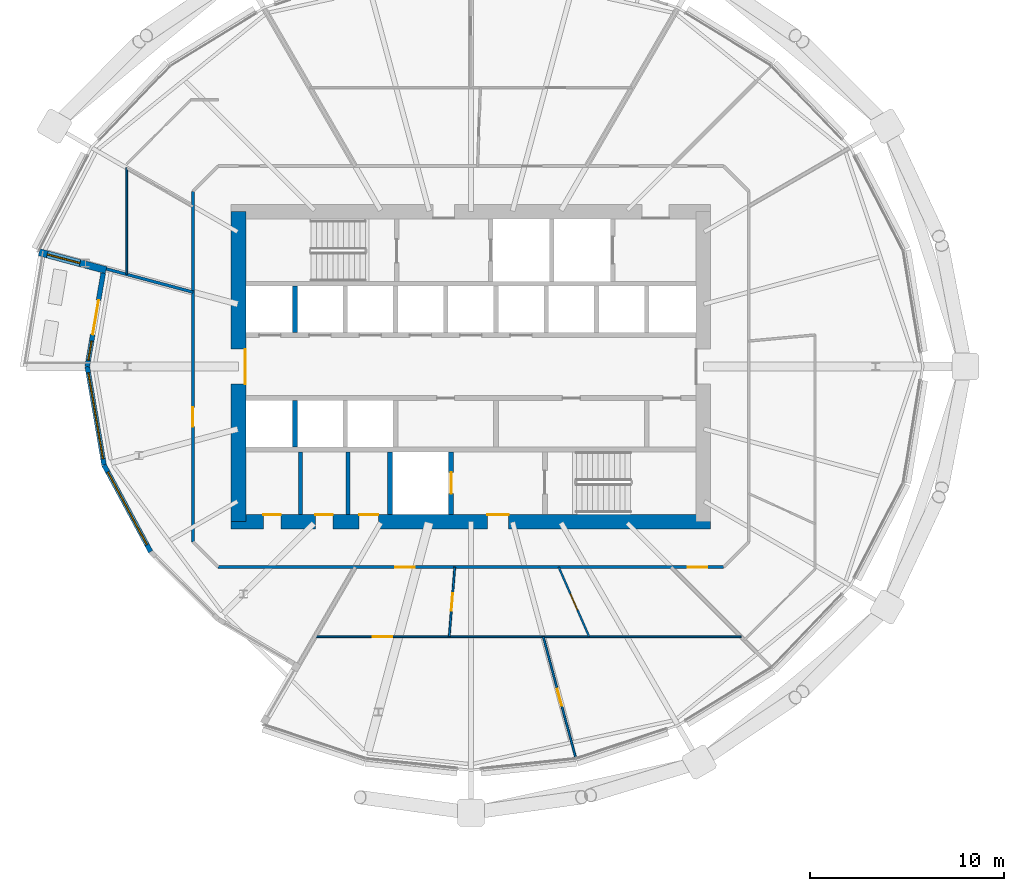
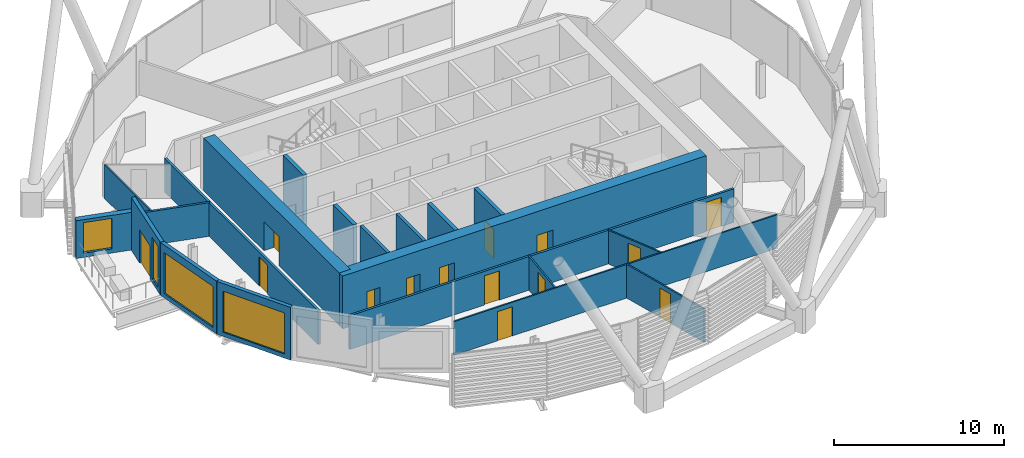
# One storey, part 24 of 38: 21 walls, 14 doors, 4 windows, 18 openings.
"""IFC4 building model written with IfcOpenShell, lengths in metres."""

from ifc_helpers import new_model, si_unit, direction, frame, frame_2d, origin, place, context, subcontext, project, spatial, rectangle, extrude, material, layer, layer_set, type_object, element, fill, save


model = new_model("IFC4")

# Units and contexts
model_context = context("Model", 3, precision=1e-05, world=origin(), true_north=direction((0.0, 1.0)))
body_context = subcontext(model_context, "Body", "Model", "MODEL_VIEW")
ifc_project = project(units=[si_unit("LENGTHUNIT", "METRE"), si_unit("AREAUNIT", "SQUARE_METRE"), si_unit("VOLUMEUNIT", "CUBIC_METRE"), si_unit("PLANEANGLEUNIT", "RADIAN"), si_unit("MASSUNIT", "GRAM", prefix="KILO")], contexts=[model_context])

# Site, building, storey
site_placement = place(None, origin())
site = spatial("IfcSite", under=ifc_project, at=site_placement, CompositionType="ELEMENT")
building_placement = place(site_placement, origin())
building = spatial("IfcBuilding", under=site, at=building_placement, Name="Rimbun Link Towers", CompositionType="ELEMENT")
storey_placement = place(building_placement, frame((0.0, 0.0, 104.39990234375)))
storey = spatial("IfcBuildingStorey", under=building, at=storey_placement, Name="L25", CompositionType="ELEMENT", Elevation=104.39990234375)

# Wall, openings, door, window
ifc_material_1 = material(Name="Dark enamelled glass spandrel on insulated aluminium backpan", Category="aluminium")
ifc_layer_1 = layer(ifc_material_1, 0.25)
ifc_layer_set_1 = layer_set([ifc_layer_1], Name="CS dark enamelled spandrel wall 250")
wall_type_1 = type_object("IfcWallType", Name="CS dark enamelled spandrel wall 250", PredefinedType="STANDARD", material=ifc_layer_set_1)
wall_1_placement = place(storey_placement, frame((-51.559326171875, 0.0, 0.0), z_axis=(0.0, 0.0, 1.0), x_axis=(0.16807555834, 0.985774115449, 0.0)))
wall_1 = element("IfcWall", 1, at=wall_1_placement, inside=storey, type_object=wall_type_1, Name="Crease spandrel wall", PredefinedType="STANDARD", context=body_context, shape_type="SweptSolid", body=[
    extrude(rectangle(XDim=4.89794921875, YDim=0.25, at=frame_2d((2.448974609375, 0.0))), origin(), (0.0, 0.0, 1.0), 3.800048828125),
])
opening_1_placement = place(wall_1_placement, frame((0.33984375, 0.0, 0.300048828125)))
opening_1 = element("IfcOpeningElement", 2, at=opening_1_placement, cuts=wall_1, Name="Opening WR10H295", PredefinedType="OPENING", context=body_context, shape_type="SweptSolid", body=[
    extrude(rectangle(XDim=1.0, YDim=2.949951171875, at=frame_2d((0.5, 1.47509765625))), frame((0.0, 0.135009765625, 0.0), z_axis=(0.0, -1.0, 0.0), x_axis=(1.0, 0.0, 0.0)), (0.0, 0.0, 1.0), 0.27001953125),
])
opening_2_placement = place(wall_1_placement, frame((1.679443359375, 0.0, 0.0)))
opening_2 = element("IfcOpeningElement", 3, at=opening_2_placement, cuts=wall_1, Name="Opening ED63", PredefinedType="OPENING", context=body_context, shape_type="SweptSolid", body=[
    extrude(rectangle(XDim=1.800048828125, YDim=2.39990234375, at=frame_2d((0.89990234375, 1.199951171875))), frame((0.0, 0.135009765625, 0.0), z_axis=(0.0, -1.0, 0.0), x_axis=(1.0, 0.0, 0.0)), (0.0, 0.0, 1.0), 0.27001953125),
])
ifc_material_2 = material(Name="Aluminium framed glazed door, low-iron glass", Category="aluminium")
door_type_1 = type_object("IfcDoorType", Name="ED terrace door double leaf 1800X2400", OperationType="DOUBLE_DOOR_SINGLE_SWING", PredefinedType="DOOR", material=ifc_material_2)
door_1_placement = place(opening_2_placement, origin())
door_1 = element("IfcDoor", 4, at=door_1_placement, inside=storey, type_object=door_type_1, Name="Terrace door", OperationType="SINGLE_SWING_LEFT", OverallHeight=2.39990234375, OverallWidth=1.800048828125, PredefinedType="DOOR", context=body_context, shape_type="SweptSolid", body=[
    extrude(rectangle(XDim=1.800048828125, YDim=2.39990234375, at=frame_2d((0.89990234375, 1.199951171875))), frame((0.0, 0.02490234375, 0.0), z_axis=(0.0, -1.0, 0.0), x_axis=(1.0, 0.0, 0.0)), (0.0, 0.0, 1.0), 0.050048828125),
])
fill(opening_2, door_1)
ifc_material_3 = material(Name="Aluminium framed fixed window, dark tinted low-e glass", Category="aluminium")
window_type_1 = type_object("IfcWindowType", Name="WR ribbon window 1000X2950", PartitioningType="SINGLE_PANEL", PredefinedType="WINDOW", material=ifc_material_3)
window_1_placement = place(opening_1_placement, origin())
window_1 = element("IfcWindow", 5, at=window_1_placement, inside=storey, type_object=window_type_1, Name="Crease ribbon window", OverallHeight=2.949951171875, OverallWidth=1.0, PartitioningType="SINGLE_PANEL", PredefinedType="WINDOW", context=body_context, shape_type="SweptSolid", body=[
    extrude(rectangle(XDim=1.0, YDim=2.949951171875, at=frame_2d((0.5, 1.47509765625))), frame((0.0, 0.030029296875, 0.0), z_axis=(0.0, -1.0, 0.0), x_axis=(1.0, 0.0, 0.0)), (0.0, 0.0, 1.0), 0.06005859375),
])
fill(opening_1, window_1)

# Wall, opening, window
wall_2_placement = place(storey_placement, frame((-50.6923828125, -5.084716796875, 0.0), z_axis=(0.0, 0.0, 1.0), x_axis=(-0.168074355977, 0.985774320452, 0.0)))
wall_2 = element("IfcWall", 6, at=wall_2_placement, inside=storey, type_object=wall_type_1, Name="Crease spandrel wall", PredefinedType="STANDARD", context=body_context, shape_type="SweptSolid", body=[
    extrude(rectangle(XDim=5.158203125, YDim=0.25, at=frame_2d((2.5791015625, 0.0))), origin(), (0.0, 0.0, 1.0), 3.800048828125),
])
opening_3_placement = place(wall_2_placement, frame((0.3291015625, 0.0, 0.300048828125)))
opening_3 = element("IfcOpeningElement", 7, at=opening_3_placement, cuts=wall_2, Name="Opening WR45H295", PredefinedType="OPENING", context=body_context, shape_type="SweptSolid", body=[
    extrude(rectangle(XDim=4.5, YDim=2.949951171875, at=frame_2d((2.25, 1.47509765625))), frame((0.0, 0.135009765625, 0.0), z_axis=(0.0, -1.0, 0.0), x_axis=(1.0, 0.0, 0.0)), (0.0, 0.0, 1.0), 0.27001953125),
])
ifc_material_4 = material(Name="Aluminium framed fixed window, dark tinted low-e glass", Category="aluminium")
window_type_2 = type_object("IfcWindowType", Name="WR ribbon window 4500X2950", PartitioningType="SINGLE_PANEL", PredefinedType="WINDOW", material=ifc_material_4)
window_2_placement = place(opening_3_placement, origin())
window_2 = element("IfcWindow", 8, at=window_2_placement, inside=storey, type_object=window_type_2, Name="Crease ribbon window", OverallHeight=2.949951171875, OverallWidth=4.5, PartitioningType="SINGLE_PANEL", PredefinedType="WINDOW", context=body_context, shape_type="SweptSolid", body=[
    extrude(rectangle(XDim=4.5, YDim=2.949951171875, at=frame_2d((2.25, 1.47509765625))), frame((0.0, 0.030029296875, 0.0), z_axis=(0.0, -1.0, 0.0), x_axis=(1.0, 0.0, 0.0)), (0.0, 0.0, 1.0), 0.06005859375),
])
fill(opening_3, window_2)

wall_3_placement = place(storey_placement, frame((-48.284912109375, -9.563232421875, 0.0), z_axis=(0.0, 0.0, 1.0), x_axis=(-0.473484091358, 0.880802370132, 0.0)))
wall_3 = element("IfcWall", 9, at=wall_3_placement, inside=storey, type_object=wall_type_1, Name="Crease spandrel wall", PredefinedType="STANDARD", context=body_context, shape_type="SweptSolid", body=[
    extrude(rectangle(XDim=5.08447265625, YDim=0.25, at=frame_2d((2.542236328125, 0.0))), origin(), (0.0, 0.0, 1.0), 3.800048828125),
])
opening_4_placement = place(wall_3_placement, frame((0.41748046875, 0.0, 0.300048828125)))
opening_4 = element("IfcOpeningElement", 10, at=opening_4_placement, cuts=wall_3, Name="Opening WR42H295", PredefinedType="OPENING", context=body_context, shape_type="SweptSolid", body=[
    extrude(rectangle(XDim=4.25, YDim=2.949951171875, at=frame_2d((2.125, 1.47509765625))), frame((0.0, 0.135009765625, 0.0), z_axis=(0.0, -1.0, 0.0), x_axis=(1.0, 0.0, 0.0)), (0.0, 0.0, 1.0), 0.27001953125),
])
ifc_material_5 = material(Name="Aluminium framed fixed window, dark tinted low-e glass", Category="aluminium")
window_type_3 = type_object("IfcWindowType", Name="WR ribbon window 4250X2950", PartitioningType="SINGLE_PANEL", PredefinedType="WINDOW", material=ifc_material_5)
window_3_placement = place(opening_4_placement, origin())
window_3 = element("IfcWindow", 11, at=window_3_placement, inside=storey, type_object=window_type_3, Name="Crease ribbon window", OverallHeight=2.949951171875, OverallWidth=4.25, PartitioningType="SINGLE_PANEL", PredefinedType="WINDOW", context=body_context, shape_type="SweptSolid", body=[
    extrude(rectangle(XDim=4.25, YDim=2.949951171875, at=frame_2d((2.125, 1.47509765625))), frame((0.0, 0.030029296875, 0.0), z_axis=(0.0, -1.0, 0.0), x_axis=(1.0, 0.0, 0.0)), (0.0, 0.0, 1.0), 0.06005859375),
])
fill(opening_4, window_3)

ifc_material_6 = material(Name="Dark enamelled glass spandrel on insulated aluminium backpan", Category="aluminium")
ifc_layer_2 = layer(ifc_material_6, 0.3701171875)
ifc_layer_set_2 = layer_set([ifc_layer_2], Name="CS dark enamelled spandrel wall 370")
wall_type_2 = type_object("IfcWallType", Name="CS dark enamelled spandrel wall 370", PredefinedType="STANDARD", material=ifc_layer_set_2)
wall_4_placement = place(storey_placement, frame((-50.589599609375, 4.980712890625, 0.0), z_axis=(0.0, 0.0, 1.0), x_axis=(-0.965929787715, 0.258804260405, 0.0)))
wall_4 = element("IfcWall", 12, at=wall_4_placement, inside=storey, type_object=wall_type_2, Name="Crease spandrel wall", PredefinedType="STANDARD", context=body_context, shape_type="SweptSolid", body=[
    extrude(rectangle(XDim=3.580078125, YDim=0.3701171875, at=frame_2d((1.7900390625, 0.0))), origin(), (0.0, 0.0, 1.0), 2.711669921875),
])
opening_5_placement = place(wall_4_placement, frame((1.395751953125, 0.0, 0.300048828125)))
opening_5 = element("IfcOpeningElement", 13, at=opening_5_placement, cuts=wall_4, Name="Opening WR18H220", PredefinedType="OPENING", context=body_context, shape_type="SweptSolid", body=[
    extrude(rectangle(XDim=1.75, YDim=2.199951171875, at=frame_2d((0.875, 1.10009765625))), frame((0.0, 0.195068359375, 0.0), z_axis=(0.0, -1.0, 0.0), x_axis=(1.0, 0.0, 0.0)), (0.0, 0.0, 1.0), 0.39013671875),
])
ifc_material_7 = material(Name="Aluminium framed fixed window, dark tinted low-e glass", Category="aluminium")
window_type_4 = type_object("IfcWindowType", Name="WR ribbon window 1750X2200", PartitioningType="SINGLE_PANEL", PredefinedType="WINDOW", material=ifc_material_7)
window_4_placement = place(opening_5_placement, origin())
window_4 = element("IfcWindow", 14, at=window_4_placement, inside=storey, type_object=window_type_4, Name="Crease ribbon window", OverallHeight=2.199951171875, OverallWidth=1.75, PartitioningType="SINGLE_PANEL", PredefinedType="WINDOW", context=body_context, shape_type="SweptSolid", body=[
    extrude(rectangle(XDim=1.75, YDim=2.199951171875, at=frame_2d((0.875, 1.10009765625))), frame((0.0, 0.030029296875, 0.0), z_axis=(0.0, -1.0, 0.0), x_axis=(1.0, 0.0, 0.0)), (0.0, 0.0, 1.0), 0.06005859375),
])
fill(opening_5, window_4)

# Walls
ifc_material_8 = material(Name="Masonry blockwork", Category="masonry")
ifc_layer_3 = layer(ifc_material_8, 0.199951171875)
ifc_layer_set_3 = layer_set([ifc_layer_3], Name="Core partition 200")
wall_type_3 = type_object("IfcWallType", Name="Core partition 200", PredefinedType="PARTITIONING", material=ifc_layer_set_3)
for number, where, z_axis, x_axis, name in (
    (15, (-40.550048828125, -4.39990234375, 0.0), (0.0, 0.0, 1.0), (0.0, -1.0, 0.0), "L25 T1 core wall C1"),
    (16, (-38.10009765625, -4.39990234375, 0.0), (0.0, 0.0, 1.0), (0.0, -1.0, 0.0), "L25 T1 core wall C2"),
):
    element("IfcWall", number, at=place(storey_placement, frame(where, z_axis=z_axis, x_axis=x_axis)), inside=storey, type_object=wall_type_3, Name=name, PredefinedType="PARTITIONING", context=body_context, shape_type="SweptSolid", body=[
        extrude(rectangle(XDim=3.22509765625, YDim=0.199951171875, at=frame_2d((1.612548828125, 0.0))), origin(), (0.0, 0.0, 1.0), 3.800048828125),
    ])

# Wall, openings, doors
ifc_material_9 = material(Name="Concrete C60/75", Category="concrete")
ifc_layer_4 = layer(ifc_material_9, 0.75)
ifc_layer_set_4 = layer_set([ifc_layer_4], Name="Core shear wall 750")
wall_type_4 = type_object("IfcWallType", Name="Core shear wall 750", PredefinedType="SHEAR", material=ifc_layer_set_4)
wall_5_placement = place(storey_placement, frame((-44.125, -8.0, 0.0), z_axis=(0.0, 0.0, 1.0), x_axis=(1.0, 0.0, 0.0)))
wall_5 = element("IfcWall", 17, at=wall_5_placement, inside=storey, type_object=wall_type_4, Name="L25 T1 core wall S", PredefinedType="SHEAR", context=body_context, shape_type="SweptSolid", body=[
    extrude(rectangle(XDim=24.75, YDim=0.75, at=frame_2d((12.375, 0.0))), origin(), (0.0, 0.0, 1.0), 3.800048828125),
])
opening_6_placement = place(wall_5_placement, frame((13.22509765625, 0.0, 0.0)))
opening_6 = element("IfcOpeningElement", 18, at=opening_6_placement, cuts=wall_5, Name="Opening C1DCF01S", PredefinedType="OPENING", context=body_context, shape_type="SweptSolid", body=[
    extrude(rectangle(XDim=1.10009765625, YDim=2.10009765625, at=frame_2d((0.550048828125, 1.050048828125))), frame((0.0, 0.385009765625, 0.0), z_axis=(0.0, -1.0, 0.0), x_axis=(1.0, 0.0, 0.0)), (0.0, 0.0, 1.0), 0.77001953125),
])
opening_7_placement = place(wall_5_placement, frame((1.66259765625, 0.0, 0.0)))
opening_7 = element("IfcOpeningElement", 19, at=opening_7_placement, cuts=wall_5, Name="Opening C1DWC02S", PredefinedType="OPENING", context=body_context, shape_type="SweptSolid", body=[
    extrude(rectangle(XDim=0.89990234375, YDim=2.10009765625, at=frame_2d((0.449951171875, 1.050048828125))), frame((0.0, 0.385009765625, 0.0), z_axis=(0.0, -1.0, 0.0), x_axis=(1.0, 0.0, 0.0)), (0.0, 0.0, 1.0), 0.77001953125),
])
opening_8_placement = place(wall_5_placement, frame((4.35009765625, 0.0, 0.0)))
opening_8 = element("IfcOpeningElement", 20, at=opening_8_placement, cuts=wall_5, Name="Opening C1DWC03S", PredefinedType="OPENING", context=body_context, shape_type="SweptSolid", body=[
    extrude(rectangle(XDim=0.89990234375, YDim=2.10009765625, at=frame_2d((0.449951171875, 1.050048828125))), frame((0.0, 0.385009765625, 0.0), z_axis=(0.0, -1.0, 0.0), x_axis=(1.0, 0.0, 0.0)), (0.0, 0.0, 1.0), 0.77001953125),
])
opening_9_placement = place(wall_5_placement, frame((6.60009765625, 0.0, 0.0)))
opening_9 = element("IfcOpeningElement", 21, at=opening_9_placement, cuts=wall_5, Name="Opening C1DAW04S", PredefinedType="OPENING", context=body_context, shape_type="SweptSolid", body=[
    extrude(rectangle(XDim=1.0, YDim=2.10009765625, at=frame_2d((0.5, 1.050048828125))), frame((0.0, 0.385009765625, 0.0), z_axis=(0.0, -1.0, 0.0), x_axis=(1.0, 0.0, 0.0)), (0.0, 0.0, 1.0), 0.77001953125),
])
ifc_material_10 = material(Name="Timber", Category="wood")
door_type_2 = type_object("IfcDoorType", Name="Accessible WC door", OperationType="SINGLE_SWING_LEFT", PredefinedType="DOOR", material=ifc_material_10)
door_2_placement = place(opening_9_placement, origin())
door_2 = element("IfcDoor", 22, at=door_2_placement, inside=storey, type_object=door_type_2, Name="L25 T1 accessible wc door", OperationType="SINGLE_SWING_LEFT", OverallHeight=2.10009765625, OverallWidth=1.0, PredefinedType="DOOR", context=body_context, shape_type="SweptSolid", body=[
    extrude(rectangle(XDim=1.0, YDim=2.10009765625, at=frame_2d((0.5, 1.050048828125))), frame((0.0, 0.375, 0.0), z_axis=(0.0, -1.0, 0.0), x_axis=(1.0, 0.0, 0.0)), (0.0, 0.0, 1.0), 0.050048828125),
])
fill(opening_9, door_2)
ifc_material_11 = material(Name="Steel fire door set", Category="steel")
door_type_3 = type_object("IfcDoorType", Name="Core fire door single", OperationType="SINGLE_SWING_LEFT", PredefinedType="DOOR", material=ifc_material_11)
door_3_placement = place(opening_6_placement, origin())
door_3 = element("IfcDoor", 23, at=door_3_placement, inside=storey, type_object=door_type_3, Name="L25 T1 firefighting lobby s door", OperationType="SINGLE_SWING_RIGHT", OverallHeight=2.10009765625, OverallWidth=1.10009765625, PredefinedType="DOOR", context=body_context, shape_type="SweptSolid", body=[
    extrude(rectangle(XDim=1.10009765625, YDim=2.10009765625, at=frame_2d((0.550048828125, 1.050048828125))), frame((0.0, 0.375, 0.0), z_axis=(0.0, -1.0, 0.0), x_axis=(1.0, 0.0, 0.0)), (0.0, 0.0, 1.0), 0.050048828125),
])
fill(opening_6, door_3)
ifc_material_12 = material(Name="Timber", Category="wood")
door_type_4 = type_object("IfcDoorType", Name="WC door", OperationType="SINGLE_SWING_LEFT", PredefinedType="DOOR", material=ifc_material_12)
door_4_placement = place(opening_7_placement, origin())
door_4 = element("IfcDoor", 24, at=door_4_placement, inside=storey, type_object=door_type_4, Name="L25 T1 male wc door", OperationType="SINGLE_SWING_RIGHT", OverallHeight=2.10009765625, OverallWidth=0.89990234375, PredefinedType="DOOR", context=body_context, shape_type="SweptSolid", body=[
    extrude(rectangle(XDim=0.89990234375, YDim=2.10009765625, at=frame_2d((0.449951171875, 1.050048828125))), frame((0.0, 0.375, 0.0), z_axis=(0.0, -1.0, 0.0), x_axis=(1.0, 0.0, 0.0)), (0.0, 0.0, 1.0), 0.050048828125),
])
fill(opening_7, door_4)
door_5_placement = place(opening_8_placement, origin())
door_5 = element("IfcDoor", 25, at=door_5_placement, inside=storey, type_object=door_type_4, Name="L25 T1 female wc door", OperationType="SINGLE_SWING_RIGHT", OverallHeight=2.10009765625, OverallWidth=0.89990234375, PredefinedType="DOOR", context=body_context, shape_type="SweptSolid", body=[
    extrude(rectangle(XDim=0.89990234375, YDim=2.10009765625, at=frame_2d((0.449951171875, 1.050048828125))), frame((0.0, 0.375, 0.0), z_axis=(0.0, -1.0, 0.0), x_axis=(1.0, 0.0, 0.0)), (0.0, 0.0, 1.0), 0.050048828125),
])
fill(opening_8, door_5)

# Wall, opening, door
wall_6_placement = place(storey_placement, frame((-43.75, -8.0, 0.0), z_axis=(0.0, 0.0, 1.0), x_axis=(0.0, 1.0, 0.0)))
wall_6 = element("IfcWall", 26, at=wall_6_placement, inside=storey, type_object=wall_type_4, Name="L25 T1 core wall W", PredefinedType="SHEAR", context=body_context, shape_type="SweptSolid", body=[
    extrude(rectangle(XDim=16.0, YDim=0.75, at=frame_2d((8.0, 0.0))), origin(), (0.0, 0.0, 1.0), 3.800048828125),
])
opening_10_placement = place(wall_6_placement, frame((7.10009765625, 0.0, 0.0)))
opening_10 = element("IfcOpeningElement", 27, at=opening_10_placement, cuts=wall_6, Name="Opening C1DCL01W", PredefinedType="OPENING", context=body_context, shape_type="SweptSolid", body=[
    extrude(rectangle(XDim=1.800048828125, YDim=2.10009765625, at=frame_2d((0.89990234375, 1.050048828125))), frame((0.0, 0.385009765625, 0.0), z_axis=(0.0, -1.0, 0.0), x_axis=(1.0, 0.0, 0.0)), (0.0, 0.0, 1.0), 0.77001953125),
])
ifc_material_13 = material(Name="Steel fire door set", Category="steel")
door_type_5 = type_object("IfcDoorType", Name="Core lobby door double", OperationType="DOUBLE_DOOR_SINGLE_SWING", PredefinedType="DOOR", material=ifc_material_13)
door_6_placement = place(opening_10_placement, origin())
door_6 = element("IfcDoor", 28, at=door_6_placement, inside=storey, type_object=door_type_5, Name="L25 T1 lift lobby door", OperationType="DOUBLE_DOOR_SINGLE_SWING", OverallHeight=2.10009765625, OverallWidth=1.800048828125, PredefinedType="DOOR", context=body_context, shape_type="SweptSolid", body=[
    extrude(rectangle(XDim=1.800048828125, YDim=2.10009765625, at=frame_2d((0.89990234375, 1.050048828125))), frame((0.0, -0.3251953125, 0.0), z_axis=(0.0, -1.0, 0.0), x_axis=(1.0, 0.0, 0.0)), (0.0, 0.0, 1.0), 0.050048828125),
])
fill(opening_10, door_6)

# Wall, openings, doors
ifc_material_14 = material(Name="Plasterboard on steel stud, mineral wool", Category="steel")
ifc_layer_5 = layer(ifc_material_14, 0.14990234375)
ifc_layer_set_5 = layer_set([ifc_layer_5], Name="Corridor wall EI 30 150 mm")
wall_type_5 = type_object("IfcWallType", Name="Corridor wall EI 30 150 mm", PredefinedType="PARTITIONING", material=ifc_layer_set_5)
wall_7_placement = place(storey_placement, frame((-18.6982421875, -10.35009765625, 0.0), z_axis=(0.0, 0.0, 1.0), x_axis=(-1.0, 0.0, 0.0)))
wall_7 = element("IfcWall", 29, at=wall_7_placement, inside=storey, type_object=wall_type_5, Name="Corridor wall EI 30 150 mm", PredefinedType="PARTITIONING", context=body_context, shape_type="SweptSolid", body=[
    extrude(rectangle(XDim=26.103515625, YDim=0.14990234375, at=frame_2d((13.0517578125, 0.0))), origin(), (0.0, 0.0, 1.0), 2.420166015625),
])
opening_11_placement = place(wall_7_placement, frame((15.9541015625, 0.0, 0.0)))
opening_11 = element("IfcOpeningElement", 30, at=opening_11_placement, cuts=wall_7, Name="Opening D01", PredefinedType="OPENING", context=body_context, shape_type="SweptSolid", body=[
    extrude(rectangle(XDim=1.0, YDim=2.10009765625, at=frame_2d((0.5, 1.050048828125))), frame((0.0, 0.0849609375, 0.0), z_axis=(0.0, -1.0, 0.0), x_axis=(1.0, 0.0, 0.0)), (0.0, 0.0, 1.0), 0.169921875),
])
opening_12_placement = place(wall_7_placement, frame((0.850830078125, 0.0, 0.0)))
opening_12 = element("IfcOpeningElement", 31, at=opening_12_placement, cuts=wall_7, Name="Opening D01", PredefinedType="OPENING", context=body_context, shape_type="SweptSolid", body=[
    extrude(rectangle(XDim=1.0, YDim=2.10009765625, at=frame_2d((0.5, 1.050048828125))), frame((0.0, 0.0849609375, 0.0), z_axis=(0.0, -1.0, 0.0), x_axis=(1.0, 0.0, 0.0)), (0.0, 0.0, 1.0), 0.169921875),
])
ifc_material_15 = material(Name="Fire-resisting timber door leaf", Category="wood")
door_type_6 = type_object("IfcDoorType", Name="Fire door FD30S 1000", OperationType="NOTDEFINED", PredefinedType="DOOR", material=ifc_material_15)
door_7_placement = place(opening_11_placement, origin())
door_7 = element("IfcDoor", 32, at=door_7_placement, inside=storey, type_object=door_type_6, Name="Fire door FD30S 1000 to Reception", OperationType="SINGLE_SWING_LEFT", OverallHeight=2.10009765625, OverallWidth=1.0, PredefinedType="DOOR", context=body_context, shape_type="SweptSolid", body=[
    extrude(rectangle(XDim=1.0, YDim=2.10009765625, at=frame_2d((0.5, 1.050048828125))), frame((0.0, 0.02490234375, 0.0), z_axis=(0.0, -1.0, 0.0), x_axis=(1.0, 0.0, 0.0)), (0.0, 0.0, 1.0), 0.050048828125),
])
fill(opening_11, door_7)
door_8_placement = place(opening_12_placement, origin())
door_8 = element("IfcDoor", 33, at=door_8_placement, inside=storey, type_object=door_type_6, Name="Fire door FD30S 1000 to Reception", OperationType="SINGLE_SWING_LEFT", OverallHeight=2.10009765625, OverallWidth=1.0, PredefinedType="DOOR", context=body_context, shape_type="SweptSolid", body=[
    extrude(rectangle(XDim=1.0, YDim=2.10009765625, at=frame_2d((0.5, 1.050048828125))), frame((0.0, 0.02490234375, 0.0), z_axis=(0.0, -1.0, 0.0), x_axis=(1.0, 0.0, 0.0)), (0.0, 0.0, 1.0), 0.050048828125),
])
fill(opening_12, door_8)

# Wall, opening, door
wall_8_placement = place(storey_placement, frame((-46.10009765625, -9.0517578125, 0.0), z_axis=(0.0, 0.0, 1.0), x_axis=(0.0, 1.0, 0.0)))
wall_8 = element("IfcWall", 34, at=wall_8_placement, inside=storey, type_object=wall_type_5, Name="Corridor wall EI 30 150 mm", PredefinedType="PARTITIONING", context=body_context, shape_type="SweptSolid", body=[
    extrude(rectangle(XDim=18.103515625, YDim=0.14990234375, at=frame_2d((9.0517578125, 0.0))), origin(), (0.0, 0.0, 1.0), 2.420166015625),
])
opening_13_placement = place(wall_8_placement, frame((5.948486328125, 0.0, 0.0)))
opening_13 = element("IfcOpeningElement", 35, at=opening_13_placement, cuts=wall_8, Name="Opening D01", PredefinedType="OPENING", context=body_context, shape_type="SweptSolid", body=[
    extrude(rectangle(XDim=1.0, YDim=2.10009765625, at=frame_2d((0.5, 1.050048828125))), frame((0.0, 0.0849609375, 0.0), z_axis=(0.0, -1.0, 0.0), x_axis=(1.0, 0.0, 0.0)), (0.0, 0.0, 1.0), 0.169921875),
])
door_9_placement = place(opening_13_placement, origin())
door_9 = element("IfcDoor", 36, at=door_9_placement, inside=storey, type_object=door_type_6, Name="Fire door FD30S 1000 to Terrace office", OperationType="SINGLE_SWING_LEFT", OverallHeight=2.10009765625, OverallWidth=1.0, PredefinedType="DOOR", context=body_context, shape_type="SweptSolid", body=[
    extrude(rectangle(XDim=1.0, YDim=2.10009765625, at=frame_2d((0.5, 1.050048828125))), frame((0.0, 0.02490234375, 0.0), z_axis=(0.0, -1.0, 0.0), x_axis=(1.0, 0.0, 0.0)), (0.0, 0.0, 1.0), 0.050048828125),
])
fill(opening_13, door_9)

ifc_material_16 = material(Name="Plasterboard on steel stud", Category="steel")
ifc_layer_6 = layer(ifc_material_16, 0.10009765625)
ifc_layer_set_6 = layer_set([ifc_layer_6], Name="Plasterboard partition 100 mm")
wall_type_6 = type_object("IfcWallType", Name="Plasterboard partition 100 mm", PredefinedType="PARTITIONING", material=ifc_layer_set_6)
wall_9_placement = place(storey_placement, frame((-32.579345703125, -10.35009765625, 0.0), z_axis=(0.0, 0.0, 1.0), x_axis=(-0.0798392644, -0.996807750702, 0.0)))
wall_9 = element("IfcWall", 37, at=wall_9_placement, inside=storey, type_object=wall_type_6, Name="Plasterboard partition 100 mm", PredefinedType="PARTITIONING", context=body_context, shape_type="SweptSolid", body=[
    extrude(rectangle(XDim=3.611328125, YDim=0.10009765625, at=frame_2d((1.8056640625, 0.0))), origin(), (0.0, 0.0, 1.0), 2.420166015625),
])
opening_14_placement = place(wall_9_placement, frame((1.355712890625, 0.0, 0.0)))
opening_14 = element("IfcOpeningElement", 38, at=opening_14_placement, cuts=wall_9, Name="Opening D04", PredefinedType="OPENING", context=body_context, shape_type="SweptSolid", body=[
    extrude(rectangle(XDim=0.89990234375, YDim=2.10009765625, at=frame_2d((0.449951171875, 1.050048828125))), frame((0.0, 0.06005859375, 0.0), z_axis=(0.0, -1.0, 0.0), x_axis=(1.0, 0.0, 0.0)), (0.0, 0.0, 1.0), 0.1201171875),
])
ifc_material_17 = material(Name="Timber door leaf", Category="wood")
door_type_7 = type_object("IfcDoorType", Name="Flush door 900", OperationType="NOTDEFINED", PredefinedType="DOOR", material=ifc_material_17)
door_10_placement = place(opening_14_placement, origin())
door_10 = element("IfcDoor", 39, at=door_10_placement, inside=storey, type_object=door_type_7, Name="Flush door 900 to Meeting room", OperationType="SINGLE_SWING_RIGHT", OverallHeight=2.10009765625, OverallWidth=0.89990234375, PredefinedType="DOOR", context=body_context, shape_type="SweptSolid", body=[
    extrude(rectangle(XDim=0.89990234375, YDim=2.10009765625, at=frame_2d((0.449951171875, 1.050048828125))), frame((0.0, 0.02490234375, 0.0), z_axis=(0.0, -1.0, 0.0), x_axis=(1.0, 0.0, 0.0)), (0.0, 0.0, 1.0), 0.050048828125),
])
fill(opening_14, door_10)

wall_10_placement = place(storey_placement, frame((-28.01220703125, -13.949951171875, 0.0), z_axis=(0.0, 0.0, 1.0), x_axis=(-1.0, 0.0, 0.0)))
wall_10 = element("IfcWall", 40, at=wall_10_placement, inside=storey, type_object=wall_type_6, Name="Plasterboard partition 100 mm", PredefinedType="PARTITIONING", context=body_context, shape_type="SweptSolid", body=[
    extrude(rectangle(XDim=11.791748046875, YDim=0.10009765625, at=frame_2d((5.89599609375, 0.0))), origin(), (0.0, 0.0, 1.0), 2.420166015625),
])
opening_15_placement = place(wall_10_placement, frame((7.80859375, 0.0, 0.0)))
opening_15 = element("IfcOpeningElement", 41, at=opening_15_placement, cuts=wall_10, Name="Opening D03", PredefinedType="OPENING", context=body_context, shape_type="SweptSolid", body=[
    extrude(rectangle(XDim=1.0, YDim=2.10009765625, at=frame_2d((0.5, 1.050048828125))), frame((0.0, 0.06005859375, 0.0), z_axis=(0.0, -1.0, 0.0), x_axis=(1.0, 0.0, 0.0)), (0.0, 0.0, 1.0), 0.1201171875),
])
ifc_material_18 = material(Name="Timber door leaf", Category="wood")
door_type_8 = type_object("IfcDoorType", Name="Flush door 1000", OperationType="NOTDEFINED", PredefinedType="DOOR", material=ifc_material_18)
door_11_placement = place(opening_15_placement, origin())
door_11 = element("IfcDoor", 42, at=door_11_placement, inside=storey, type_object=door_type_8, Name="Flush door 1000 to Co-working space", OperationType="SINGLE_SWING_LEFT", OverallHeight=2.10009765625, OverallWidth=1.0, PredefinedType="DOOR", context=body_context, shape_type="SweptSolid", body=[
    extrude(rectangle(XDim=1.0, YDim=2.10009765625, at=frame_2d((0.5, 1.050048828125))), frame((0.0, 0.02490234375, 0.0), z_axis=(0.0, -1.0, 0.0), x_axis=(1.0, 0.0, 0.0)), (0.0, 0.0, 1.0), 0.050048828125),
])
fill(opening_15, door_11)

wall_11_placement = place(storey_placement, frame((-27.216552734375, -10.35009765625, 0.0), z_axis=(0.0, 0.0, 1.0), x_axis=(0.401239177491, -0.915973319724, 0.0)))
wall_11 = element("IfcWall", 43, at=wall_11_placement, inside=storey, type_object=wall_type_6, Name="Plasterboard partition 100 mm", PredefinedType="PARTITIONING", context=body_context, shape_type="SweptSolid", body=[
    extrude(rectangle(XDim=3.93017578125, YDim=0.10009765625, at=frame_2d((1.965087890625, 0.0))), origin(), (0.0, 0.0, 1.0), 2.420166015625),
])
opening_16_placement = place(wall_11_placement, frame((1.51513671875, 0.0, 0.0)))
opening_16 = element("IfcOpeningElement", 44, at=opening_16_placement, cuts=wall_11, Name="Opening D04", PredefinedType="OPENING", context=body_context, shape_type="SweptSolid", body=[
    extrude(rectangle(XDim=0.89990234375, YDim=2.10009765625, at=frame_2d((0.449951171875, 1.050048828125))), frame((0.0, 0.06005859375, 0.0), z_axis=(0.0, -1.0, 0.0), x_axis=(1.0, 0.0, 0.0)), (0.0, 0.0, 1.0), 0.1201171875),
])
door_12_placement = place(opening_16_placement, origin())
door_12 = element("IfcDoor", 45, at=door_12_placement, inside=storey, type_object=door_type_7, Name="Flush door 900 to Pantry", OperationType="SINGLE_SWING_RIGHT", OverallHeight=2.10009765625, OverallWidth=0.89990234375, PredefinedType="DOOR", context=body_context, shape_type="SweptSolid", body=[
    extrude(rectangle(XDim=0.89990234375, YDim=2.10009765625, at=frame_2d((0.449951171875, 1.050048828125))), frame((0.0, 0.02490234375, 0.0), z_axis=(0.0, -1.0, 0.0), x_axis=(1.0, 0.0, 0.0)), (0.0, 0.0, 1.0), 0.050048828125),
])
fill(opening_16, door_12)

# Wall
wall_12_placement = place(storey_placement, frame((-28.01220703125, -13.949951171875, 0.0), z_axis=(0.0, 0.0, 1.0), x_axis=(1.0, 0.0, 0.0)))
element("IfcWall", 46, at=wall_12_placement, inside=storey, type_object=wall_type_6, Name="Plasterboard partition 100 mm", PredefinedType="PARTITIONING", context=body_context, shape_type="SweptSolid", body=[
    extrude(rectangle(XDim=10.212158203125, YDim=0.10009765625, at=frame_2d((5.10595703125, 0.0))), origin(), (0.0, 0.0, 1.0), 2.420166015625),
])

# Wall, opening, door
wall_13_placement = place(storey_placement, frame((-28.01220703125, -13.949951171875, 0.0), z_axis=(0.0, 0.0, 1.0), x_axis=(0.258826358617, -0.965923866609, 0.0)))
wall_13 = element("IfcWall", 47, at=wall_13_placement, inside=storey, type_object=wall_type_6, Name="Plasterboard partition 100 mm", PredefinedType="PARTITIONING", context=body_context, shape_type="SweptSolid", body=[
    extrude(rectangle(XDim=6.48876953125, YDim=0.10009765625, at=frame_2d((3.244384765625, 0.0))), origin(), (0.0, 0.0, 1.0), 2.420166015625),
])
opening_17_placement = place(wall_13_placement, frame((2.794189453125, 0.0, 0.0)))
opening_17 = element("IfcOpeningElement", 48, at=opening_17_placement, cuts=wall_13, Name="Opening D04", PredefinedType="OPENING", context=body_context, shape_type="SweptSolid", body=[
    extrude(rectangle(XDim=0.89990234375, YDim=2.10009765625, at=frame_2d((0.449951171875, 1.050048828125))), frame((0.0, 0.06005859375, 0.0), z_axis=(0.0, -1.0, 0.0), x_axis=(1.0, 0.0, 0.0)), (0.0, 0.0, 1.0), 0.1201171875),
])
door_13_placement = place(opening_17_placement, origin())
door_13 = element("IfcDoor", 49, at=door_13_placement, inside=storey, type_object=door_type_7, Name="Flush door 900 to Serviced office", OperationType="SINGLE_SWING_RIGHT", OverallHeight=2.10009765625, OverallWidth=0.89990234375, PredefinedType="DOOR", context=body_context, shape_type="SweptSolid", body=[
    extrude(rectangle(XDim=0.89990234375, YDim=2.10009765625, at=frame_2d((0.449951171875, 1.050048828125))), frame((0.0, 0.02490234375, 0.0), z_axis=(0.0, -1.0, 0.0), x_axis=(1.0, 0.0, 0.0)), (0.0, 0.0, 1.0), 0.050048828125),
])
fill(opening_17, door_13)

# Walls
wall_14_placement = place(storey_placement, frame((-49.52001953125, 10.2705078125, 0.0), z_axis=(0.0, 0.0, 1.0), x_axis=(0.0, -1.0, 0.0)))
element("IfcWall", 50, at=wall_14_placement, inside=storey, type_object=wall_type_6, Name="Plasterboard partition 100 mm", PredefinedType="PARTITIONING", context=body_context, shape_type="SweptSolid", body=[
    extrude(rectangle(XDim=5.509033203125, YDim=0.10009765625, at=frame_2d((2.75439453125, 0.0))), origin(), (0.0, 0.0, 1.0), 2.420166015625),
])
ifc_material_19 = material(Name="Concrete C60/75", Category="concrete")
ifc_layer_7 = layer(ifc_material_19, 0.25)
ifc_layer_set_7 = layer_set([ifc_layer_7], Name="Shaft wall 250")
wall_type_7 = type_object("IfcWallType", Name="Shaft wall 250", PredefinedType="SHEAR", material=ifc_layer_set_7)
for number, where, z_axis, x_axis, name in (
    (51, (-40.83056640625, 1.75, 0.0), (0.0, 0.0, 1.0), (0.0, 1.0, 0.0), "L25 T1 core wall DN0"),
    (52, (-40.83056640625, -4.14990234375, 0.0), (0.0, 0.0, 1.0), (0.0, 1.0, 0.0), "L25 T1 core wall DS0"),
):
    element("IfcWall", number, at=place(storey_placement, frame(where, z_axis=z_axis, x_axis=x_axis)), inside=storey, type_object=wall_type_7, Name=name, PredefinedType="SHEAR", context=body_context, shape_type="SweptSolid", body=[
        extrude(rectangle(XDim=2.39990234375, YDim=0.25, at=frame_2d((1.199951171875, 0.0))), origin(), (0.0, 0.0, 1.0), 3.800048828125),
    ])

# Wall, opening, door
wall_15_placement = place(storey_placement, frame((-32.77490234375, -4.39990234375, 0.0), z_axis=(0.0, 0.0, 1.0), x_axis=(0.0, -1.0, 0.0)))
wall_15 = element("IfcWall", 53, at=wall_15_placement, inside=storey, type_object=wall_type_7, Name="L25 T1 core wall B2", PredefinedType="SHEAR", context=body_context, shape_type="SweptSolid", body=[
    extrude(rectangle(XDim=3.22509765625, YDim=0.25, at=frame_2d((1.612548828125, 0.0))), origin(), (0.0, 0.0, 1.0), 3.800048828125),
])
opening_18_placement = place(wall_15_placement, frame((1.0625, 0.0, 0.0)))
opening_18 = element("IfcOpeningElement", 54, at=opening_18_placement, cuts=wall_15, Name="Opening LD-T1-FF2", PredefinedType="OPENING", context=body_context, shape_type="SweptSolid", body=[
    extrude(rectangle(XDim=1.10009765625, YDim=2.10009765625, at=frame_2d((0.550048828125, 1.050048828125))), frame((0.0, 0.135009765625, 0.0), z_axis=(0.0, -1.0, 0.0), x_axis=(1.0, 0.0, 0.0)), (0.0, 0.0, 1.0), 0.27001953125),
])
ifc_material_20 = material(Name="Stainless steel grade 316", Category="steel")
door_type_9 = type_object("IfcDoorType", Name="Lift landing door", OperationType="DOUBLE_DOOR_SLIDING", PredefinedType="DOOR", material=ifc_material_20)
door_14_placement = place(opening_18_placement, origin())
door_14 = element("IfcDoor", 55, at=door_14_placement, inside=storey, type_object=door_type_9, Name="L25 T1 lift FF2 landing door", OperationType="DOUBLE_DOOR_SLIDING", OverallHeight=2.10009765625, OverallWidth=1.10009765625, PredefinedType="DOOR", context=body_context, shape_type="SweptSolid", body=[
    extrude(rectangle(XDim=1.10009765625, YDim=2.10009765625, at=frame_2d((0.550048828125, 1.050048828125))), frame((0.0, 0.02490234375, 0.0), z_axis=(0.0, -1.0, 0.0), x_axis=(1.0, 0.0, 0.0)), (0.0, 0.0, 1.0), 0.050048828125),
])
fill(opening_18, door_14)

# Walls
wall_16_placement = place(storey_placement, frame((-35.925048828125, -4.39990234375, 0.0), z_axis=(0.0, 0.0, 1.0), x_axis=(0.0, -1.0, 0.0)))
element("IfcWall", 56, at=wall_16_placement, inside=storey, type_object=wall_type_7, Name="L25 T1 core wall B3", PredefinedType="SHEAR", context=body_context, shape_type="SweptSolid", body=[
    extrude(rectangle(XDim=3.22509765625, YDim=0.25, at=frame_2d((1.612548828125, 0.0))), origin(), (0.0, 0.0, 1.0), 3.800048828125),
])
ifc_material_21 = material(Name="Plasterboard on steel stud, mineral wool", Category="steel")
ifc_layer_8 = layer(ifc_material_21, 0.14990234375)
ifc_layer_set_8 = layer_set([ifc_layer_8], Name="Tenancy separation wall EI 60 150 mm")
wall_type_8 = type_object("IfcWallType", Name="Tenancy separation wall EI 60 150 mm", PredefinedType="PARTITIONING", material=ifc_layer_set_8)
wall_17_placement = place(storey_placement, frame((-46.10009765625, 3.84521484375, 0.0), z_axis=(0.0, 0.0, 1.0), x_axis=(-0.965936755558, 0.258778253072, 0.0)))
element("IfcWall", 57, at=wall_17_placement, inside=storey, type_object=wall_type_8, Name="Tenancy separation wall EI 60 150 mm", PredefinedType="PARTITIONING", context=body_context, shape_type="SweptSolid", body=[
    extrude(rectangle(XDim=4.63037109375, YDim=0.14990234375, at=frame_2d((2.315185546875, 0.0))), origin(), (0.0, 0.0, 1.0), 2.420166015625),
])

save(model, "model.ifc")
